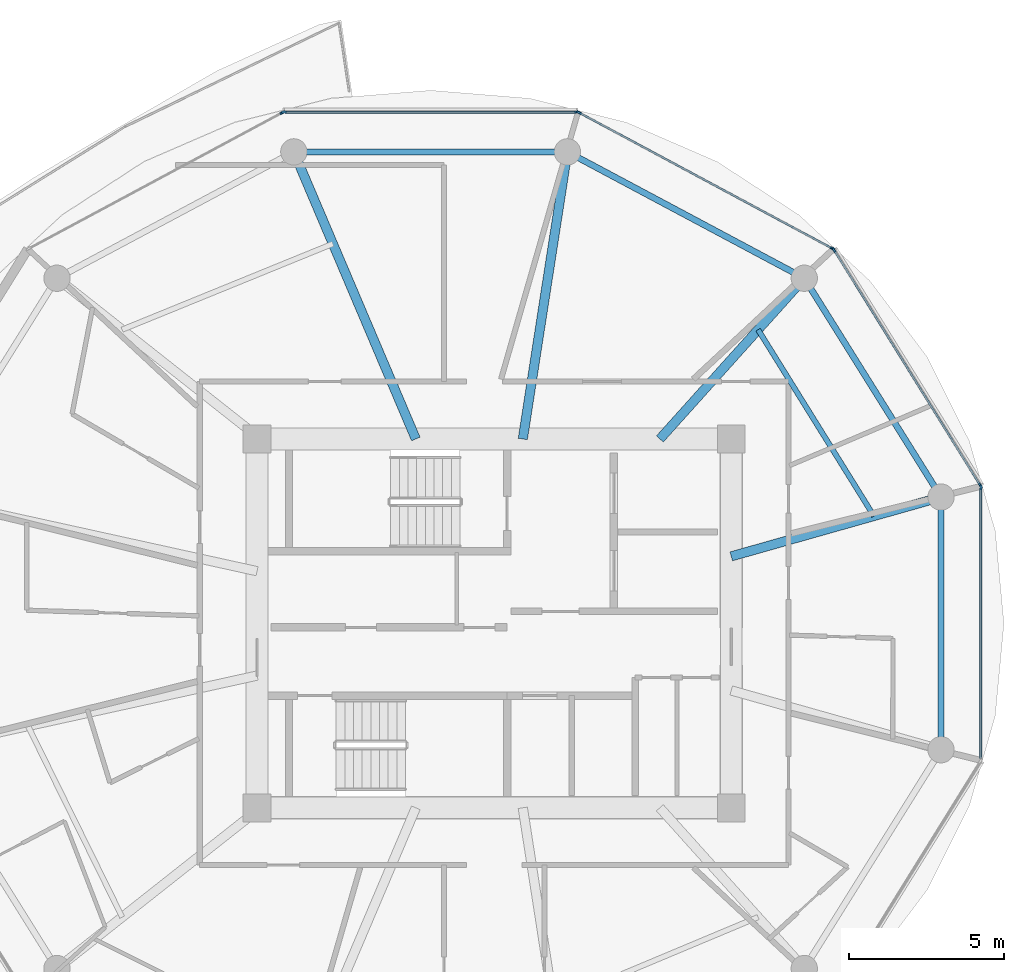
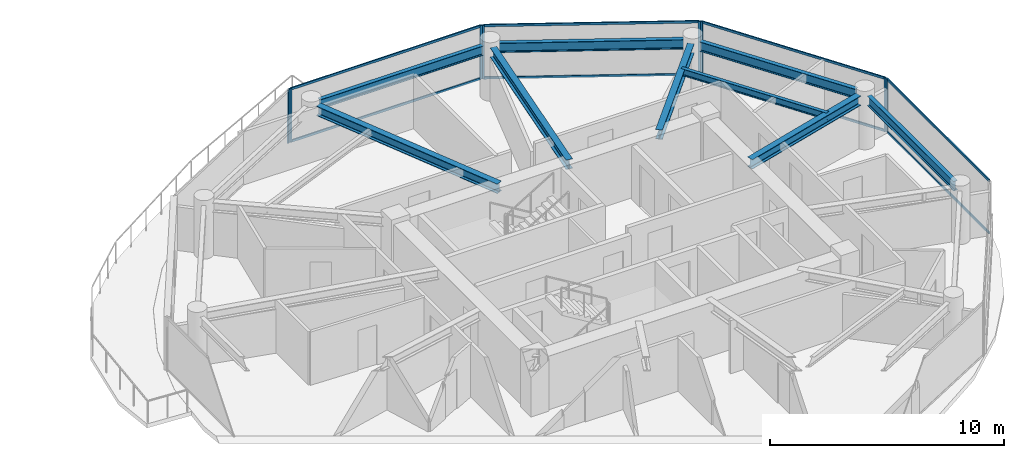
# One storey, part 11 of 22: 16 members, 9 beams, 5 elements without a shape of their own.
"""IFC4 building model written with IfcOpenShell, lengths in metres."""

from ifc_helpers import new_model, si_unit, direction, frame, origin, origin_2d, place, context, subcontext, project, spatial, rectangle, i_section, extrude, source, transform, mapped, material, layer, layer_set, material_profile, profile_set, type_object, type_shapes, element, aggregate, save


model = new_model("IFC4")

# Units and contexts
model_context = context("Model", 3, precision=1e-05, world=origin(), true_north=direction((0.0, 1.0)))
body_context = subcontext(model_context, "Body", "Model", "MODEL_VIEW")
ifc_project = project(units=[si_unit("LENGTHUNIT", "METRE"), si_unit("AREAUNIT", "SQUARE_METRE"), si_unit("VOLUMEUNIT", "CUBIC_METRE"), si_unit("PLANEANGLEUNIT", "RADIAN"), si_unit("MASSUNIT", "GRAM", prefix="KILO")], contexts=[model_context])

# Site, building, storey
site_placement = place(None, origin())
site = spatial("IfcSite", under=ifc_project, at=site_placement, CompositionType="ELEMENT")
building_placement = place(site_placement, origin())
building = spatial("IfcBuilding", under=site, at=building_placement, Name="Norrkilde Senior Care Towers", CompositionType="ELEMENT")
storey_placement = place(building_placement, frame((0.0, 0.0, 123.699951171875)))
storey = spatial("IfcBuildingStorey", under=building, at=storey_placement, Name="L38", CompositionType="ELEMENT", Elevation=123.699951171875)

# Beams
ifc_material_1 = material(Name="Steel S355", Category="steel")
ifc_material_profile_1 = material_profile(ifc_material_1, i_section(OverallWidth=0.199951171875, OverallDepth=0.5, WebThickness=0.01025390625, FlangeThickness=0.01611328125, FilletRadius=0.02099609375, at=origin_2d()), Name="IPE 500")
ifc_profile_set_1 = profile_set([ifc_material_profile_1], Name="Steel S355")
beam_type_1 = type_object("IfcBeamType", Name="Perimeter Ring Spandrel Z2 IPE500", PredefinedType="SPANDREL", material=ifc_profile_set_1)
shared_shape_1 = source(origin(), body_context, "Body", "SweptSolid", [
    extrude(i_section(OverallWidth=0.199951171875, OverallDepth=0.5, WebThickness=0.01025390625, FlangeThickness=0.01611328125, FilletRadius=0.02099609375, at=origin_2d()), origin(), (0.0, 0.0, 1.0), 7.892333984375),
])
beam_1_placement = place(storey_placement, frame((37.66650390625, 11.318115234375, 2.5400390625), z_axis=(-0.882350372282, 0.47059305194, 0.0), x_axis=(-0.47059305194, -0.882350372282, 0.0)))
element("IfcBeam", 1, at=beam_1_placement, inside=storey, type_object=beam_type_1, Name="L38 Drum E Perimeter Spandrel 02", PredefinedType="SPANDREL", context=body_context, shape_type="MappedRepresentation", body=[
    mapped(shared_shape_1, transform((0.0, 0.0, 0.0), x_axis=(1.0, 0.0, 0.0), y_axis=(0.0, 1.0, 0.0), z_axis=(0.0, 0.0, 1.0), scale=1.0)),
])
shared_shape_2 = source(origin(), body_context, "Body", "SweptSolid", [
    extrude(i_section(OverallWidth=0.199951171875, OverallDepth=0.5, WebThickness=0.01025390625, FlangeThickness=0.01611328125, FilletRadius=0.02099609375, at=origin_2d()), origin(), (0.0, 0.0, 1.0), 8.0556640625),
])
beam_2_placement = place(storey_placement, frame((29.977783203125, 15.21337890625, 2.5400390625), z_axis=(-1.0, 0.0, 0.0), x_axis=(0.0, -1.0, 0.0)))
element("IfcBeam", 2, at=beam_2_placement, inside=storey, type_object=beam_type_1, Name="L38 Drum E Perimeter Spandrel 03", PredefinedType="SPANDREL", context=body_context, shape_type="MappedRepresentation", body=[
    mapped(shared_shape_2, transform((0.0, 0.0, 0.0), x_axis=(1.0, 0.0, 0.0), y_axis=(0.0, 1.0, 0.0), z_axis=(0.0, 0.0, 1.0), scale=1.0)),
])
ifc_material_profile_2 = material_profile(ifc_material_1, i_section(OverallWidth=0.300048828125, OverallDepth=0.5, WebThickness=0.014404296875, FlangeThickness=0.028076171875, FilletRadius=0.027099609375, at=origin_2d()), Name="HEB 500")
ifc_profile_set_2 = profile_set([ifc_material_profile_2], Name="Steel S355")
beam_type_2 = type_object("IfcBeamType", Name="Radial Floor Beam Z2 HEB500", PredefinedType="BEAM", material=ifc_profile_set_2)
shared_shape_3 = source(origin(), body_context, "Body", "SweptSolid", [
    extrude(i_section(OverallWidth=0.300048828125, OverallDepth=0.5, WebThickness=0.014404296875, FlangeThickness=0.028076171875, FilletRadius=0.027099609375, at=origin_2d()), origin(), (0.0, 0.0, 1.0), 9.679443359375),
])
beam_3_placement = place(storey_placement, frame((25.472412109375, 5.949951171875, 2.5400390625), z_axis=(-0.390998033479, 0.920391513333, 0.0), x_axis=(-0.920391513333, -0.390998033479, 0.0)))
element("IfcBeam", 3, at=beam_3_placement, inside=storey, type_object=beam_type_2, Name="L38 Drum E Radial Floor Beam 04", PredefinedType="BEAM", context=body_context, shape_type="MappedRepresentation", body=[
    mapped(shared_shape_3, transform((0.0, 0.0, 0.0), x_axis=(1.0, 0.0, 0.0), y_axis=(0.0, 1.0, 0.0), z_axis=(0.0, 0.0, 1.0), scale=1.0)),
])
shared_shape_4 = source(origin(), body_context, "Body", "SweptSolid", [
    extrude(i_section(OverallWidth=0.300048828125, OverallDepth=0.5, WebThickness=0.014404296875, FlangeThickness=0.028076171875, FilletRadius=0.027099609375, at=origin_2d()), origin(), (0.0, 0.0, 1.0), 8.989501953125),
])
beam_4_placement = place(storey_placement, frame((28.924072265625, 5.949951171875, 2.5400390625), z_axis=(0.153471298636, 0.988153105796, 0.0), x_axis=(-0.988153105796, 0.153471298636, 0.0)))
element("IfcBeam", 4, at=beam_4_placement, inside=storey, type_object=beam_type_2, Name="L38 Drum E Radial Floor Beam 03", PredefinedType="BEAM", context=body_context, shape_type="MappedRepresentation", body=[
    mapped(shared_shape_4, transform((0.0, 0.0, 0.0), x_axis=(1.0, 0.0, 0.0), y_axis=(0.0, 1.0, 0.0), z_axis=(0.0, 0.0, 1.0), scale=1.0)),
])
shared_shape_5 = source(origin(), body_context, "Body", "SweptSolid", [
    extrude(i_section(OverallWidth=0.199951171875, OverallDepth=0.5, WebThickness=0.01025390625, FlangeThickness=0.01611328125, FilletRadius=0.02099609375, at=origin_2d()), origin(), (0.0, 0.0, 1.0), 7.556396484375),
])
beam_5_placement = place(storey_placement, frame((42.215087890625, 4.40283203125, 2.5400390625), z_axis=(-0.530004748437, 0.847994673706, 0.0), x_axis=(-0.847994673706, -0.530004748437, 0.0)))
element("IfcBeam", 5, at=beam_5_placement, inside=storey, type_object=beam_type_1, Name="L38 Drum E Perimeter Spandrel 01", PredefinedType="SPANDREL", context=body_context, shape_type="MappedRepresentation", body=[
    mapped(shared_shape_5, transform((0.0, 0.0, 0.0), x_axis=(1.0, 0.0, 0.0), y_axis=(0.0, 1.0, 0.0), z_axis=(0.0, 0.0, 1.0), scale=1.0)),
])
shared_shape_6 = source(origin(), body_context, "Body", "SweptSolid", [
    extrude(i_section(OverallWidth=0.300048828125, OverallDepth=0.5, WebThickness=0.014404296875, FlangeThickness=0.028076171875, FilletRadius=0.027099609375, at=origin_2d()), origin(), (0.0, 0.0, 1.0), 6.587890625),
])
beam_6_placement = place(storey_placement, frame((33.345947265625, 5.949951171875, 2.5400390625), z_axis=(0.668315438605, 0.743877997068, 0.0), x_axis=(-0.743877997068, 0.668315438605, 0.0)))
element("IfcBeam", 6, at=beam_6_placement, inside=storey, type_object=beam_type_2, Name="L38 Drum E Radial Floor Beam 02", PredefinedType="BEAM", context=body_context, shape_type="MappedRepresentation", body=[
    mapped(shared_shape_6, transform((0.0, 0.0, 0.0), x_axis=(1.0, 0.0, 0.0), y_axis=(0.0, 1.0, 0.0), z_axis=(0.0, 0.0, 1.0), scale=1.0)),
])
shared_shape_7 = source(origin(), body_context, "Body", "SweptSolid", [
    extrude(i_section(OverallWidth=0.199951171875, OverallDepth=0.5, WebThickness=0.01025390625, FlangeThickness=0.01611328125, FilletRadius=0.02099609375, at=origin_2d()), origin(), (0.0, 0.0, 1.0), 7.3828125),
])
type_shapes(beam_type_1, [shared_shape_1, shared_shape_2, shared_shape_5, shared_shape_7])
beam_7_placement = place(storey_placement, frame((42.4189453125, -3.69140625, 2.5400390625), z_axis=(0.0, 1.0, 0.0), x_axis=(-1.0, 0.0, 0.0)))
element("IfcBeam", 7, at=beam_7_placement, inside=storey, type_object=beam_type_1, Name="L38 Drum E Perimeter Spandrel 12", PredefinedType="SPANDREL", context=body_context, shape_type="MappedRepresentation", body=[
    mapped(shared_shape_7, transform((0.0, 0.0, 0.0), x_axis=(1.0, 0.0, 0.0), y_axis=(0.0, 1.0, 0.0), z_axis=(0.0, 0.0, 1.0), scale=1.0)),
])
shared_shape_8 = source(origin(), body_context, "Body", "SweptSolid", [
    extrude(i_section(OverallWidth=0.300048828125, OverallDepth=0.5, WebThickness=0.014404296875, FlangeThickness=0.028076171875, FilletRadius=0.027099609375, at=origin_2d()), origin(), (0.0, 0.0, 1.0), 6.6494140625),
])
type_shapes(beam_type_2, [shared_shape_3, shared_shape_4, shared_shape_6, shared_shape_8])
beam_8_placement = place(storey_placement, frame((35.64990234375, 2.162841796875, 2.5400390625), z_axis=(0.962289138357, 0.27202870106, 0.0), x_axis=(-0.27202870106, 0.962289138357, 0.0)))
element("IfcBeam", 8, at=beam_8_placement, inside=storey, type_object=beam_type_2, Name="L38 Drum E Radial Floor Beam 01", PredefinedType="BEAM", context=body_context, shape_type="MappedRepresentation", body=[
    mapped(shared_shape_8, transform((0.0, 0.0, 0.0), x_axis=(1.0, 0.0, 0.0), y_axis=(0.0, 1.0, 0.0), z_axis=(0.0, 0.0, 1.0), scale=1.0)),
])
ifc_material_profile_3 = material_profile(ifc_material_1, i_section(OverallWidth=0.169921875, OverallDepth=0.360107421875, WebThickness=0.008056640625, FlangeThickness=0.0126953125, FilletRadius=0.01806640625, at=origin_2d()), Name="IPE 360")
ifc_profile_set_3 = profile_set([ifc_material_profile_3], Name="Steel S355")
beam_type_3 = type_object("IfcBeamType", Name="Secondary Floor Joist IPE360", PredefinedType="JOIST", material=ifc_profile_set_3)
shared_shape_9 = source(origin(), body_context, "Body", "SweptSolid", [
    extrude(i_section(OverallWidth=0.169921875, OverallDepth=0.360107421875, WebThickness=0.008056640625, FlangeThickness=0.0126953125, FilletRadius=0.01806640625, at=origin_2d()), origin(), (0.0, 0.0, 1.0), 7.080078125),
])
type_shapes(beam_type_3, [shared_shape_9])
beam_9_placement = place(storey_placement, frame((40.2529296875, 3.464111328125, 2.610107421875), z_axis=(-0.527961009189, 0.849268610497, 0.0), x_axis=(-0.849268610497, -0.527961009189, 0.0)))
element("IfcBeam", 9, at=beam_9_placement, inside=storey, type_object=beam_type_3, Name="L38 Drum E Secondary Floor Joist 1", PredefinedType="JOIST", context=body_context, shape_type="MappedRepresentation", body=[
    mapped(shared_shape_9, transform((0.0, 0.0, 0.0), x_axis=(1.0, 0.0, 0.0), y_axis=(0.0, 1.0, 0.0), z_axis=(0.0, 0.0, 1.0), scale=1.0)),
])

# Curtain wall, members
ifc_material_2 = material(Name="Triple Low-E Insulated Glazing", Category="glass")
ifc_layer = layer(ifc_material_2, 0.195068359375)
ifc_layer_set = layer_set([ifc_layer], Name="Triple Low-E Insulated Glazing")
curtain_wall_type = type_object("IfcCurtainWallType", Name="CW3 Zone 2 Assisted Living Curtain Wall", PredefinedType="NOTDEFINED", material=ifc_layer_set)
curtain_wall_1_placement = place(storey_placement, origin())
curtain_wall_1 = element("IfcCurtainWall", 10, at=curtain_wall_1_placement, inside=storey, type_object=curtain_wall_type, Name="L38 Drum E Curtain Wall 00", PredefinedType="NOTDEFINED")
ifc_material_3 = material(Name="Anodised Aluminium", Category="aluminium")
ifc_material_profile_4 = material_profile(ifc_material_3, rectangle(XDim=0.06494140625, YDim=0.159912109375, at=origin_2d()), Name="ALU MULL 65x160")
ifc_profile_set_4 = profile_set([ifc_material_profile_4], Name="Anodised Aluminium")
member_type_1 = type_object("IfcMemberType", Name="Curtain Wall Mullion Z1-Z2 65x160", PredefinedType="MULLION", material=ifc_profile_set_4)
shared_shape_10 = source(origin(), body_context, "Body", "SweptSolid", [
    extrude(rectangle(XDim=0.06494140625, YDim=0.159912109375, at=origin_2d()), origin(), (0.0, 0.0, 1.0), 2.7900390625),
])
type_shapes(member_type_1, [shared_shape_10])
member_1_placement = place(storey_placement, frame((38.9638671875, 12.0498046875, 0.0), z_axis=(0.0, 0.0, 1.0), x_axis=(0.849410171862, 0.527733228002, 0.0)))
member_1 = element("IfcMember", 11, at=member_1_placement, type_object=member_type_1, Name="CW-3 mullion 1", PredefinedType="MULLION", context=body_context, shape_type="MappedRepresentation", body=[
    mapped(shared_shape_10, transform((0.0, 0.0, 0.0), x_axis=(1.0, 0.0, 0.0), y_axis=(0.0, 1.0, 0.0), z_axis=(0.0, 0.0, 1.0), scale=1.0)),
])
member_2_placement = place(storey_placement, frame((43.6865234375, 4.4482421875, 0.0), z_axis=(0.0, 0.0, 1.0), x_axis=(0.849410171862, 0.527733228002, 0.0)))
member_2 = element("IfcMember", 12, at=member_2_placement, type_object=member_type_1, Name="CW-3 mullion 2", PredefinedType="MULLION", context=body_context, shape_type="MappedRepresentation", body=[
    mapped(shared_shape_10, transform((0.0, 0.0, 0.0), x_axis=(1.0, 0.0, 0.0), y_axis=(0.0, 1.0, 0.0), z_axis=(0.0, 0.0, 1.0), scale=1.0)),
])

curtain_wall_2_placement = place(storey_placement, origin())
curtain_wall_2 = element("IfcCurtainWall", 13, at=curtain_wall_2_placement, inside=storey, type_object=curtain_wall_type, Name="L38 Drum E Curtain Wall 01", PredefinedType="NOTDEFINED")
member_3_placement = place(storey_placement, frame((30.73583984375, 16.482666015625, 0.0), z_axis=(0.0, 0.0, 1.0), x_axis=(0.472769402511, 0.881186184668, 0.0)))
member_3 = element("IfcMember", 14, at=member_3_placement, type_object=member_type_1, Name="CW-3 mullion 1", PredefinedType="MULLION", context=body_context, shape_type="MappedRepresentation", body=[
    mapped(shared_shape_10, transform((0.0, 0.0, 0.0), x_axis=(1.0, 0.0, 0.0), y_axis=(0.0, 1.0, 0.0), z_axis=(0.0, 0.0, 1.0), scale=1.0)),
])
member_4_placement = place(storey_placement, frame((38.91796875, 12.0927734375, 0.0), z_axis=(0.0, 0.0, 1.0), x_axis=(0.472769402511, 0.881186184668, 0.0)))
member_4 = element("IfcMember", 15, at=member_4_placement, type_object=member_type_1, Name="CW-3 mullion 2", PredefinedType="MULLION", context=body_context, shape_type="MappedRepresentation", body=[
    mapped(shared_shape_10, transform((0.0, 0.0, 0.0), x_axis=(1.0, 0.0, 0.0), y_axis=(0.0, 1.0, 0.0), z_axis=(0.0, 0.0, 1.0), scale=1.0)),
])

curtain_wall_3_placement = place(storey_placement, origin())
curtain_wall_3 = element("IfcCurtainWall", 16, at=curtain_wall_3_placement, inside=storey, type_object=curtain_wall_type, Name="L38 Drum E Curtain Wall 02", PredefinedType="NOTDEFINED")
member_5_placement = place(storey_placement, frame((21.225341796875, 16.498046875, 0.0), z_axis=(0.0, 0.0, 1.0), x_axis=(0.0, 1.0, 0.0)))
member_5 = element("IfcMember", 17, at=member_5_placement, type_object=member_type_1, Name="CW-3 mullion 1", PredefinedType="MULLION", context=body_context, shape_type="MappedRepresentation", body=[
    mapped(shared_shape_10, transform((0.0, 0.0, 0.0), x_axis=(1.0, 0.0, 0.0), y_axis=(0.0, 1.0, 0.0), z_axis=(0.0, 0.0, 1.0), scale=1.0)),
])
member_6_placement = place(storey_placement, frame((30.674560546875, 16.498046875, 0.0), z_axis=(0.0, 0.0, 1.0), x_axis=(0.0, 1.0, 0.0)))
member_6 = element("IfcMember", 18, at=member_6_placement, type_object=member_type_1, Name="CW-3 mullion 2", PredefinedType="MULLION", context=body_context, shape_type="MappedRepresentation", body=[
    mapped(shared_shape_10, transform((0.0, 0.0, 0.0), x_axis=(1.0, 0.0, 0.0), y_axis=(0.0, 1.0, 0.0), z_axis=(0.0, 0.0, 1.0), scale=1.0)),
])

# Curtain wall, member
curtain_wall_4_placement = place(storey_placement, origin())
curtain_wall_4 = element("IfcCurtainWall", 19, at=curtain_wall_4_placement, inside=storey, type_object=curtain_wall_type, Name="L38 Drum E Curtain Wall 03", PredefinedType="NOTDEFINED")
member_7_placement = place(storey_placement, frame((21.164306640625, 16.482666015625, 0.0), z_axis=(0.0, 0.0, 1.0), x_axis=(-0.472769402511, 0.881186184668, 0.0)))
member_7 = element("IfcMember", 20, at=member_7_placement, type_object=member_type_1, Name="CW-3 mullion 2", PredefinedType="MULLION", context=body_context, shape_type="MappedRepresentation", body=[
    mapped(shared_shape_10, transform((0.0, 0.0, 0.0), x_axis=(1.0, 0.0, 0.0), y_axis=(0.0, 1.0, 0.0), z_axis=(0.0, 0.0, 1.0), scale=1.0)),
])
aggregate(curtain_wall_4, [member_7])

curtain_wall_5_placement = place(storey_placement, origin())
curtain_wall_5 = element("IfcCurtainWall", 21, at=curtain_wall_5_placement, inside=storey, type_object=curtain_wall_type, Name="L38 Drum E Curtain Wall 11", PredefinedType="NOTDEFINED")
member_8_placement = place(storey_placement, frame((43.70361328125, 4.38818359375, 0.0), z_axis=(0.0, 0.0, 1.0), x_axis=(1.0, 0.0, 0.0)))
member_8 = element("IfcMember", 22, at=member_8_placement, type_object=member_type_1, Name="CW-3 mullion 1", PredefinedType="MULLION", context=body_context, shape_type="MappedRepresentation", body=[
    mapped(shared_shape_10, transform((0.0, 0.0, 0.0), x_axis=(1.0, 0.0, 0.0), y_axis=(0.0, 1.0, 0.0), z_axis=(0.0, 0.0, 1.0), scale=1.0)),
])

# Member
ifc_material_profile_5 = material_profile(ifc_material_3, rectangle(XDim=0.06005859375, YDim=0.1201171875, at=origin_2d()), Name="ALU TRAN 60x120")
ifc_profile_set_5 = profile_set([ifc_material_profile_5], Name="Anodised Aluminium")
member_type_2 = type_object("IfcMemberType", Name="Curtain Wall Transom Typical 60x120", PredefinedType="USERDEFINED", material=ifc_profile_set_5)
shared_shape_11 = source(origin(), body_context, "Body", "SweptSolid", [
    extrude(rectangle(XDim=0.06005859375, YDim=0.1201171875, at=origin_2d()), origin(), (0.0, 0.0, 1.0), 8.88427734375),
])
member_9_placement = place(storey_placement, frame((38.98095703125, 12.022216796875, 0.030029296875), z_axis=(0.527729466743, -0.849412508697, 0.0), x_axis=(0.849412508697, 0.527729466743, 0.0)))
member_9 = element("IfcMember", 23, at=member_9_placement, type_object=member_type_2, Name="CW-3 transom 1.1", ObjectType="TRANSOM", PredefinedType="USERDEFINED", context=body_context, shape_type="MappedRepresentation", body=[
    mapped(shared_shape_11, transform((0.0, 0.0, 0.0), x_axis=(1.0, 0.0, 0.0), y_axis=(0.0, 1.0, 0.0), z_axis=(0.0, 0.0, 1.0), scale=1.0)),
])

member_10_placement = place(storey_placement, frame((38.98095703125, 12.022216796875, 2.760009765625), z_axis=(0.527729466743, -0.849412508697, 0.0), x_axis=(0.849412508697, 0.527729466743, 0.0)))
member_10 = element("IfcMember", 24, at=member_10_placement, type_object=member_type_2, Name="CW-3 transom 1.2", ObjectType="TRANSOM", PredefinedType="USERDEFINED", context=body_context, shape_type="MappedRepresentation", body=[
    mapped(shared_shape_11, transform((0.0, 0.0, 0.0), x_axis=(1.0, 0.0, 0.0), y_axis=(0.0, 1.0, 0.0), z_axis=(0.0, 0.0, 1.0), scale=1.0)),
])

aggregate(curtain_wall_1, [member_1, member_2, member_9, member_10])

shared_shape_12 = source(origin(), body_context, "Body", "SweptSolid", [
    extrude(rectangle(XDim=0.06005859375, YDim=0.1201171875, at=origin_2d()), origin(), (0.0, 0.0, 1.0), 9.220458984375),
])
member_11_placement = place(storey_placement, frame((30.764404296875, 16.46728515625, 0.030029296875), z_axis=(0.881188517866, -0.472765053681, 0.0), x_axis=(0.472765053681, 0.881188517866, 0.0)))
member_11 = element("IfcMember", 25, at=member_11_placement, type_object=member_type_2, Name="CW-3 transom 1.1", ObjectType="TRANSOM", PredefinedType="USERDEFINED", context=body_context, shape_type="MappedRepresentation", body=[
    mapped(shared_shape_12, transform((0.0, 0.0, 0.0), x_axis=(1.0, 0.0, 0.0), y_axis=(0.0, 1.0, 0.0), z_axis=(0.0, 0.0, 1.0), scale=1.0)),
])

member_12_placement = place(storey_placement, frame((30.764404296875, 16.46728515625, 2.760009765625), z_axis=(0.881188517866, -0.472765053681, 0.0), x_axis=(0.472765053681, 0.881188517866, 0.0)))
member_12 = element("IfcMember", 26, at=member_12_placement, type_object=member_type_2, Name="CW-3 transom 1.2", ObjectType="TRANSOM", PredefinedType="USERDEFINED", context=body_context, shape_type="MappedRepresentation", body=[
    mapped(shared_shape_12, transform((0.0, 0.0, 0.0), x_axis=(1.0, 0.0, 0.0), y_axis=(0.0, 1.0, 0.0), z_axis=(0.0, 0.0, 1.0), scale=1.0)),
])

aggregate(curtain_wall_2, [member_3, member_4, member_11, member_12])

shared_shape_13 = source(origin(), body_context, "Body", "SweptSolid", [
    extrude(rectangle(XDim=0.06005859375, YDim=0.1201171875, at=origin_2d()), origin(), (0.0, 0.0, 1.0), 9.38427734375),
])
member_13_placement = place(storey_placement, frame((21.2578125, 16.498046875, 0.030029296875), z_axis=(1.0, 0.0, 0.0), x_axis=(0.0, 1.0, 0.0)))
member_13 = element("IfcMember", 27, at=member_13_placement, type_object=member_type_2, Name="CW-3 transom 1.1", ObjectType="TRANSOM", PredefinedType="USERDEFINED", context=body_context, shape_type="MappedRepresentation", body=[
    mapped(shared_shape_13, transform((0.0, 0.0, 0.0), x_axis=(1.0, 0.0, 0.0), y_axis=(0.0, 1.0, 0.0), z_axis=(0.0, 0.0, 1.0), scale=1.0)),
])

member_14_placement = place(storey_placement, frame((21.2578125, 16.498046875, 2.760009765625), z_axis=(1.0, 0.0, 0.0), x_axis=(0.0, 1.0, 0.0)))
member_14 = element("IfcMember", 28, at=member_14_placement, type_object=member_type_2, Name="CW-3 transom 1.2", ObjectType="TRANSOM", PredefinedType="USERDEFINED", context=body_context, shape_type="MappedRepresentation", body=[
    mapped(shared_shape_13, transform((0.0, 0.0, 0.0), x_axis=(1.0, 0.0, 0.0), y_axis=(0.0, 1.0, 0.0), z_axis=(0.0, 0.0, 1.0), scale=1.0)),
])

aggregate(curtain_wall_3, [member_5, member_6, member_13, member_14])

shared_shape_14 = source(origin(), body_context, "Body", "SweptSolid", [
    extrude(rectangle(XDim=0.06005859375, YDim=0.1201171875, at=origin_2d()), origin(), (0.0, 0.0, 1.0), 8.71142578125),
])
type_shapes(member_type_2, [shared_shape_11, shared_shape_12, shared_shape_13, shared_shape_14])
member_15_placement = place(storey_placement, frame((43.70361328125, 4.355712890625, 0.030029296875), z_axis=(0.0, -1.0, 0.0), x_axis=(1.0, 0.0, 0.0)))
member_15 = element("IfcMember", 29, at=member_15_placement, type_object=member_type_2, Name="CW-3 transom 1.1", ObjectType="TRANSOM", PredefinedType="USERDEFINED", context=body_context, shape_type="MappedRepresentation", body=[
    mapped(shared_shape_14, transform((0.0, 0.0, 0.0), x_axis=(1.0, 0.0, 0.0), y_axis=(0.0, 1.0, 0.0), z_axis=(0.0, 0.0, 1.0), scale=1.0)),
])

member_16_placement = place(storey_placement, frame((43.70361328125, 4.355712890625, 2.760009765625), z_axis=(0.0, -1.0, 0.0), x_axis=(1.0, 0.0, 0.0)))
member_16 = element("IfcMember", 30, at=member_16_placement, type_object=member_type_2, Name="CW-3 transom 1.2", ObjectType="TRANSOM", PredefinedType="USERDEFINED", context=body_context, shape_type="MappedRepresentation", body=[
    mapped(shared_shape_14, transform((0.0, 0.0, 0.0), x_axis=(1.0, 0.0, 0.0), y_axis=(0.0, 1.0, 0.0), z_axis=(0.0, 0.0, 1.0), scale=1.0)),
])

aggregate(curtain_wall_5, [member_8, member_15, member_16])

save(model, "model.ifc")
